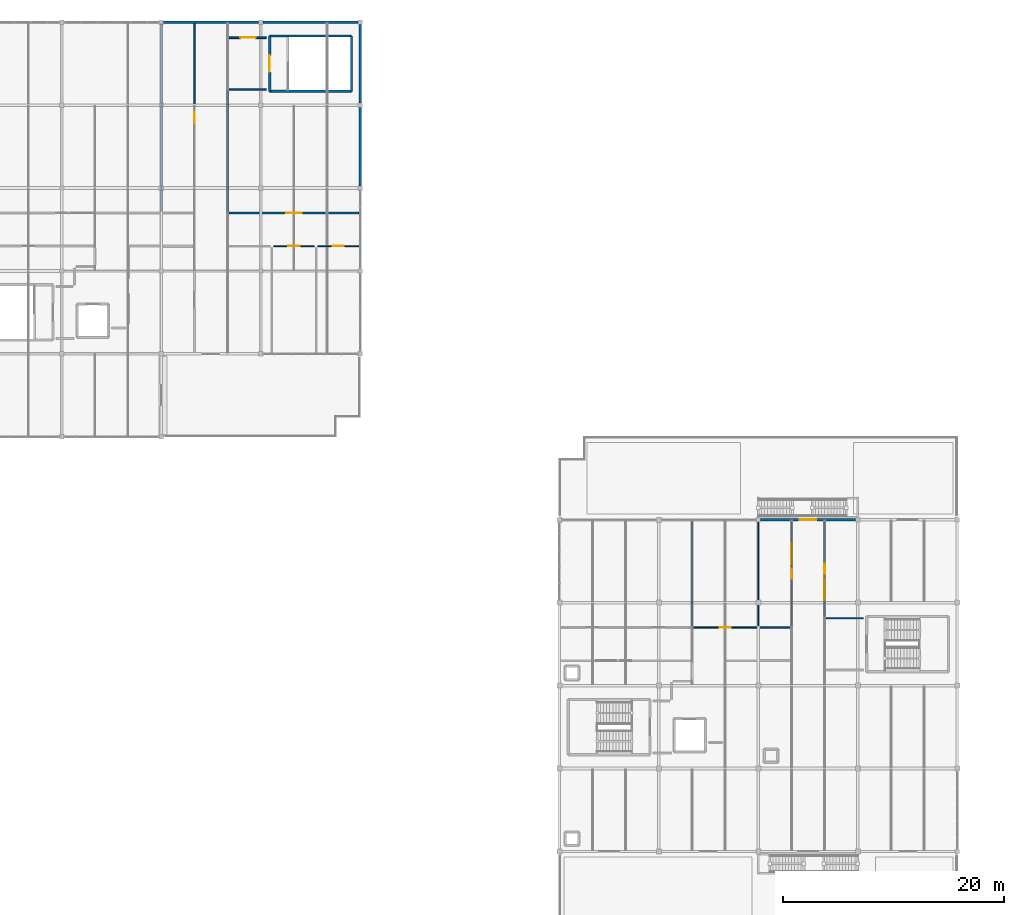
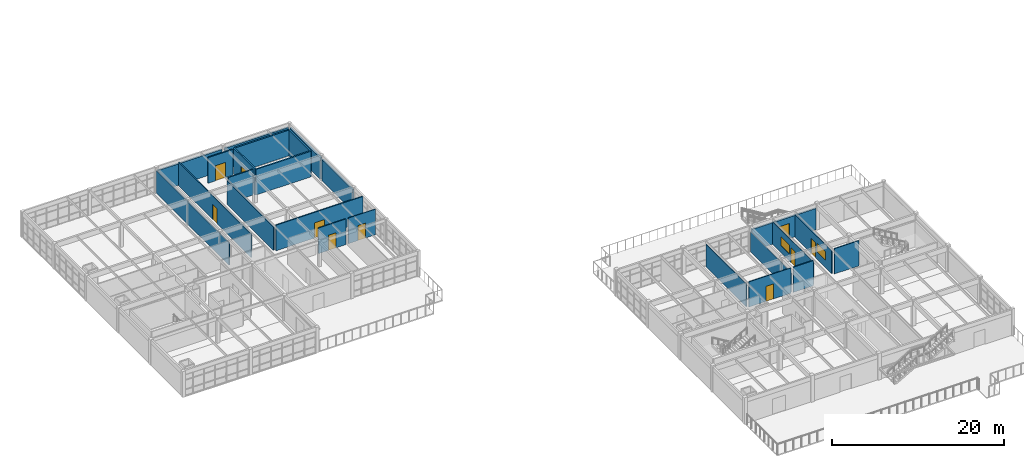
# One storey, part 40 of 45: 24 walls, 10 doors, 2 windows, 12 openings.
"""IFC4 building model written with IfcOpenShell, lengths in metres."""

from ifc_helpers import new_model, si_unit, direction, frame, frame_2d, origin, place, context, subcontext, project, spatial, rectangle, extrude, material, layer, layer_set, type_object, element, fill, save


model = new_model("IFC4")

# Units and contexts
model_context = context("Model", 3, precision=1e-05, world=origin(), true_north=direction((0.0, 1.0)))
body_context = subcontext(model_context, "Body", "Model", "MODEL_VIEW")
ifc_project = project(units=[si_unit("LENGTHUNIT", "METRE"), si_unit("AREAUNIT", "SQUARE_METRE"), si_unit("VOLUMEUNIT", "CUBIC_METRE"), si_unit("PLANEANGLEUNIT", "RADIAN"), si_unit("MASSUNIT", "GRAM", prefix="KILO")], contexts=[model_context])

# Site, building, storey
site_placement = place(None, origin())
site = spatial("IfcSite", under=ifc_project, at=site_placement, CompositionType="ELEMENT")
building_placement = place(site_placement, origin())
building = spatial("IfcBuilding", under=site, at=building_placement, Name="Marnridge Secondary College", CompositionType="ELEMENT")
storey_placement = place(building_placement, frame((0.0, 0.0, 12.300048828125)))
storey = spatial("IfcBuildingStorey", under=building, at=storey_placement, Name="L03", CompositionType="ELEMENT", Elevation=12.300048828125)

# Walls
ifc_material_1 = material(Name="Concrete C40/50 (AS 3600 N40, 40 MPa)", Category="concrete")
ifc_layer_1 = layer(ifc_material_1, 0.199951171875)
ifc_layer_set_1 = layer_set([ifc_layer_1], Name="WT-CORE-RC200")
wall_type_1 = type_object("IfcWallType", Name="WT-CORE-RC200", PredefinedType="SHEAR", material=ifc_layer_set_1)
wall_1_placement = place(storey_placement, frame((27.800048828125, 113.75, 0.0), z_axis=(0.0, 0.0, 1.0), x_axis=(1.0, 0.0, 0.0)))
element("IfcWall", 1, at=wall_1_placement, inside=storey, type_object=wall_type_1, Name="Stair core shear wall WC-L03-0365", PredefinedType="SHEAR", context=body_context, shape_type="SweptSolid", body=[
    extrude(rectangle(XDim=7.39990234375, YDim=0.199951171875, at=frame_2d((3.699951171875, 0.0))), origin(), (0.0, 0.0, 1.0), 3.64990234375),
])
wall_2_placement = place(storey_placement, frame((35.199951171875, 113.75, 0.0), z_axis=(0.0, 0.0, 1.0), x_axis=(0.0, 1.0, 0.0)))
element("IfcWall", 2, at=wall_2_placement, inside=storey, type_object=wall_type_1, Name="Stair core shear wall WC-L03-0366", PredefinedType="SHEAR", context=body_context, shape_type="SweptSolid", body=[
    extrude(rectangle(XDim=5.0, YDim=0.199951171875, at=frame_2d((2.5, 0.0))), origin(), (0.0, 0.0, 1.0), 3.64990234375),
])
wall_3_placement = place(storey_placement, frame((35.199951171875, 118.75, 0.0), z_axis=(0.0, 0.0, 1.0), x_axis=(-1.0, 0.0, 0.0)))
element("IfcWall", 3, at=wall_3_placement, inside=storey, type_object=wall_type_1, Name="Stair core shear wall WC-L03-0367", PredefinedType="SHEAR", context=body_context, shape_type="SweptSolid", body=[
    extrude(rectangle(XDim=7.39990234375, YDim=0.199951171875, at=frame_2d((3.699951171875, 0.0))), origin(), (0.0, 0.0, 1.0), 3.64990234375),
])

# Wall, opening, door
wall_4_placement = place(storey_placement, frame((27.800048828125, 118.75, 0.0), z_axis=(0.0, 0.0, 1.0), x_axis=(0.0, -1.0, 0.0)))
wall_4 = element("IfcWall", 4, at=wall_4_placement, inside=storey, type_object=wall_type_1, Name="Stair core shear wall WC-L03-0368", PredefinedType="SHEAR", context=body_context, shape_type="SweptSolid", body=[
    extrude(rectangle(XDim=5.0, YDim=0.199951171875, at=frame_2d((2.5, 0.0))), origin(), (0.0, 0.0, 1.0), 3.64990234375),
])
opening_1_placement = place(wall_4_placement, frame((1.75, 0.0, 0.0)))
opening_1 = element("IfcOpeningElement", 5, at=opening_1_placement, cuts=wall_4, Name="Opening DC-L03-030", PredefinedType="OPENING", context=body_context, shape_type="SweptSolid", body=[
    extrude(rectangle(XDim=1.5, YDim=2.14990234375, at=frame_2d((0.75, 1.074951171875))), frame((0.0, 0.10986328125, 0.0), z_axis=(0.0, -1.0, 0.0), x_axis=(1.0, 0.0, 0.0)), (0.0, 0.0, 1.0), 0.219970703125),
])
ifc_material_2 = material(Name="Fire-rated solid-core timber doorset", Category="wood")
door_type_1 = type_object("IfcDoorType", Name="DT-CORE-FD150", OperationType="DOUBLE_DOOR_SINGLE_SWING", PredefinedType="DOOR", material=ifc_material_2)
door_1_placement = place(opening_1_placement, origin())
door_1 = element("IfcDoor", 6, at=door_1_placement, inside=storey, type_object=door_type_1, Name="Fire stair door DC-L03-030", OperationType="DOUBLE_DOOR_SINGLE_SWING", OverallHeight=2.14990234375, OverallWidth=1.5, PredefinedType="DOOR", context=body_context, shape_type="SweptSolid", body=[
    extrude(rectangle(XDim=1.5, YDim=2.14990234375, at=frame_2d((0.75, 1.074951171875))), frame((0.0, 0.02490234375, 0.0), z_axis=(0.0, -1.0, 0.0), x_axis=(1.0, 0.0, 0.0)), (0.0, 0.0, 1.0), 0.050048828125),
])
fill(opening_1, door_1)

ifc_material_3 = material(Name="Cross-laminated timber CL5", Category="wood")
ifc_layer_2 = layer(ifc_material_3, 0.215087890625)
ifc_layer_set_2 = layer_set([ifc_layer_2], Name="WT-EXT-CLT215")
wall_type_2 = type_object("IfcWallType", Name="WT-EXT-CLT215", PredefinedType="SOLIDWALL", material=ifc_layer_set_2)
wall_5_placement = place(storey_placement, frame((72.196044921875, 75.0, 0.0), z_axis=(0.0, 0.0, 1.0), x_axis=(1.0, 0.0, 0.0)))
wall_5 = element("IfcWall", 7, at=wall_5_placement, inside=storey, type_object=wall_type_2, Name="Exterior wall WE-L03-0164", PredefinedType="SOLIDWALL", context=body_context, shape_type="SweptSolid", body=[
    extrude(rectangle(XDim=8.60791015625, YDim=0.215087890625, at=frame_2d((4.303955078125, 0.0))), origin(), (0.0, 0.0, 1.0), 3.046875),
])
opening_2_placement = place(wall_5_placement, frame((3.553955078125, 0.0, 0.0)))
opening_2 = element("IfcOpeningElement", 8, at=opening_2_placement, cuts=wall_5, Name="Opening DE-L03-030", PredefinedType="OPENING", context=body_context, shape_type="SweptSolid", body=[
    extrude(rectangle(XDim=1.5, YDim=2.14990234375, at=frame_2d((0.75, 1.074951171875))), frame((0.0, 0.117431640625, 0.0), z_axis=(0.0, -1.0, 0.0), x_axis=(1.0, 0.0, 0.0)), (0.0, 0.0, 1.0), 0.235107421875),
])
ifc_material_4 = material(Name="Thermally broken timber-aluminium terrace doorset", Category="wood")
door_type_2 = type_object("IfcDoorType", Name="DT-EXT-TER150", OperationType="DOUBLE_DOOR_SINGLE_SWING", PredefinedType="DOOR", material=ifc_material_4)
door_2_placement = place(opening_2_placement, origin())
door_2 = element("IfcDoor", 9, at=door_2_placement, inside=storey, type_object=door_type_2, Name="Play deck access door DE-L03-030", OperationType="DOUBLE_DOOR_SINGLE_SWING", OverallHeight=2.14990234375, OverallWidth=1.5, PredefinedType="DOOR", context=body_context, shape_type="SweptSolid", body=[
    extrude(rectangle(XDim=1.5, YDim=2.14990234375, at=frame_2d((0.75, 1.074951171875))), frame((0.0, 0.02490234375, 0.0), z_axis=(0.0, -1.0, 0.0), x_axis=(1.0, 0.0, 0.0)), (0.0, 0.0, 1.0), 0.050048828125),
])
fill(opening_2, door_2)

# Walls
for number, where, z_axis, x_axis, name in (
    (10, (18.196044921875, 120.0, 0.0), (0.0, 0.0, 1.0), (1.0, 0.0, 0.0), "Exterior wall WE-L03-0176"),
    (11, (27.196044921875, 120.0, 0.0), (0.0, 0.0, 1.0), (1.0, 0.0, 0.0), "Exterior wall WE-L03-0177"),
):
    element("IfcWall", number, at=place(storey_placement, frame(where, z_axis=z_axis, x_axis=x_axis)), inside=storey, type_object=wall_type_2, Name=name, PredefinedType="SOLIDWALL", context=body_context, shape_type="SweptSolid", body=[
        extrude(rectangle(XDim=8.60791015625, YDim=0.215087890625, at=frame_2d((4.303955078125, 0.0))), origin(), (0.0, 0.0, 1.0), 3.056884765625),
    ])
for number, where, z_axis, x_axis, name in (
    (12, (36.0, 119.803955078125, 0.0), (0.0, 0.0, 1.0), (0.0, -1.0, 0.0), "Exterior wall WE-L03-0178"),
    (13, (36.0, 112.303955078125, 0.0), (0.0, 0.0, 1.0), (0.0, -1.0, 0.0), "Exterior wall WE-L03-0179"),
):
    element("IfcWall", number, at=place(storey_placement, frame(where, z_axis=z_axis, x_axis=x_axis)), inside=storey, type_object=wall_type_2, Name=name, PredefinedType="SOLIDWALL", context=body_context, shape_type="SweptSolid", body=[
        extrude(rectangle(XDim=7.10791015625, YDim=0.215087890625, at=frame_2d((3.553955078125, 0.0))), origin(), (0.0, 0.0, 1.0), 3.056884765625),
    ])
ifc_material_5 = material(Name="Acoustic plasterboard partition Rw45", Category="gypsum")
ifc_layer_3 = layer(ifc_material_5, 0.1201171875)
ifc_layer_set_3 = layer_set([ifc_layer_3], Name="WT-PART-AC120")
wall_type_3 = type_object("IfcWallType", Name="WT-PART-AC120", PredefinedType="PARTITIONING", material=ifc_layer_set_3)
wall_6_placement = place(storey_placement, frame((78.159912109375, 66.10009765625, 0.0), z_axis=(0.0, 0.0, 1.0), x_axis=(1.0, 0.0, 0.0)))
element("IfcWall", 14, at=wall_6_placement, inside=storey, type_object=wall_type_3, Name="Interior partition WP-L03-0345", PredefinedType="PARTITIONING", context=body_context, shape_type="SweptSolid", body=[
    extrude(rectangle(XDim=3.340087890625, YDim=0.1201171875, at=frame_2d((1.669921875, 0.0))), origin(), (0.0, 0.0, 1.0), 3.58984375),
])
ifc_material_6 = material(Name="Acoustic plasterboard partition Rw48", Category="gypsum")
ifc_layer_4 = layer(ifc_material_6, 0.135009765625)
ifc_layer_set_4 = layer_set([ifc_layer_4], Name="WT-PART-AC135")
wall_type_4 = type_object("IfcWallType", Name="WT-PART-AC135", PredefinedType="PARTITIONING", material=ifc_layer_set_4)
wall_7_placement = place(storey_placement, frame((72.159912109375, 65.25, 0.0), z_axis=(0.0, 0.0, 1.0), x_axis=(1.0, 0.0, 0.0)))
element("IfcWall", 15, at=wall_7_placement, inside=storey, type_object=wall_type_4, Name="Interior partition WP-L03-0342", PredefinedType="PARTITIONING", context=body_context, shape_type="SweptSolid", body=[
    extrude(rectangle(XDim=2.68017578125, YDim=0.135009765625, at=frame_2d((1.340087890625, 0.0))), origin(), (0.0, 0.0, 1.0), 3.58984375),
])

# Wall, openings, door, window
wall_8_placement = place(storey_placement, frame((78.0, 74.840087890625, 0.0), z_axis=(0.0, 0.0, 1.0), x_axis=(0.0, -1.0, 0.0)))
wall_8 = element("IfcWall", 16, at=wall_8_placement, inside=storey, type_object=wall_type_4, Name="Interior partition WP-L03-0344", PredefinedType="PARTITIONING", context=body_context, shape_type="SweptSolid", body=[
    extrude(rectangle(XDim=8.580078125, YDim=0.135009765625, at=frame_2d((4.2900390625, 0.0))), origin(), (0.0, 0.0, 1.0), 3.221923828125),
])
opening_3_placement = place(wall_8_placement, frame((3.7900390625, 0.0, 0.0)))
opening_3 = element("IfcOpeningElement", 17, at=opening_3_placement, cuts=wall_8, Name="Opening DI-L03-0124", PredefinedType="OPENING", context=body_context, shape_type="SweptSolid", body=[
    extrude(rectangle(XDim=1.0, YDim=2.14990234375, at=frame_2d((0.5, 1.074951171875))), frame((0.0, 0.077392578125, 0.0), z_axis=(0.0, -1.0, 0.0), x_axis=(1.0, 0.0, 0.0)), (0.0, 0.0, 1.0), 0.155029296875),
])
opening_4_placement = place(wall_8_placement, frame((5.139892578125, 0.0, 1.02001953125)))
opening_4 = element("IfcOpeningElement", 18, at=opening_4_placement, cuts=wall_8, Name="Opening WNI-L03-030", PredefinedType="OPENING", context=body_context, shape_type="SweptSolid", body=[
    extrude(rectangle(XDim=2.02001953125, YDim=1.239990234375, at=frame_2d((1.010009765625, 0.6201171875))), frame((0.0, 0.077392578125, 0.0), z_axis=(0.0, -1.0, 0.0), x_axis=(1.0, 0.0, 0.0)), (0.0, 0.0, 1.0), 0.155029296875),
])
ifc_material_7 = material(Name="Solid-core acoustic hoop-pine classroom doorset", Category="wood")
door_type_3 = type_object("IfcDoorType", Name="DT-CLS-100", OperationType="NOTDEFINED", PredefinedType="DOOR", material=ifc_material_7)
door_3_placement = place(opening_3_placement, origin())
door_3 = element("IfcDoor", 19, at=door_3_placement, inside=storey, type_object=door_type_3, Name="Interior door DI-L03-0124", OperationType="SINGLE_SWING_RIGHT", OverallHeight=2.14990234375, OverallWidth=1.0, PredefinedType="DOOR", context=body_context, shape_type="SweptSolid", body=[
    extrude(rectangle(XDim=1.0, YDim=2.14990234375, at=frame_2d((0.5, 1.074951171875))), frame((0.0, 0.02490234375, 0.0), z_axis=(0.0, -1.0, 0.0), x_axis=(1.0, 0.0, 0.0)), (0.0, 0.0, 1.0), 0.050048828125),
])
fill(opening_3, door_3)
ifc_material_8 = material(Name="Acoustic laminated interior vision glazing", Category="glass")
window_type_1 = type_object("IfcWindowType", Name="WN-BL-VAR12", PartitioningType="DOUBLE_PANEL_VERTICAL", PredefinedType="WINDOW", material=ifc_material_8)
window_1_placement = place(opening_4_placement, origin())
window_1 = element("IfcWindow", 20, at=window_1_placement, inside=storey, type_object=window_type_1, Name="Interior vision window WNI-L03-030", OverallHeight=1.239990234375, OverallWidth=2.02001953125, PartitioningType="DOUBLE_PANEL_VERTICAL", PredefinedType="WINDOW", context=body_context, shape_type="SweptSolid", body=[
    extrude(rectangle(XDim=2.02001953125, YDim=1.239990234375, at=frame_2d((1.010009765625, 0.6201171875))), frame((0.0, 0.030029296875, 0.0), z_axis=(0.0, -1.0, 0.0), x_axis=(1.0, 0.0, 0.0)), (0.0, 0.0, 1.0), 0.06005859375),
])
fill(opening_4, window_1)

# Wall, opening, door
wall_9_placement = place(storey_placement, frame((21.0, 102.909912109375, 0.0), z_axis=(0.0, 0.0, 1.0), x_axis=(0.0, 1.0, 0.0)))
wall_9 = element("IfcWall", 21, at=wall_9_placement, inside=storey, type_object=wall_type_4, Name="Interior partition WP-L03-0366", PredefinedType="PARTITIONING", context=body_context, shape_type="SweptSolid", body=[
    extrude(rectangle(XDim=16.93017578125, YDim=0.135009765625, at=frame_2d((8.465087890625, 0.0))), origin(), (0.0, 0.0, 1.0), 3.342041015625),
])
opening_5_placement = place(wall_9_placement, frame((7.965087890625, 0.0, 0.0)))
opening_5 = element("IfcOpeningElement", 22, at=opening_5_placement, cuts=wall_9, Name="Opening DI-L03-0132", PredefinedType="OPENING", context=body_context, shape_type="SweptSolid", body=[
    extrude(rectangle(XDim=1.0, YDim=2.14990234375, at=frame_2d((0.5, 1.074951171875))), frame((0.0, 0.077392578125, 0.0), z_axis=(0.0, -1.0, 0.0), x_axis=(1.0, 0.0, 0.0)), (0.0, 0.0, 1.0), 0.155029296875),
])
door_4_placement = place(opening_5_placement, origin())
door_4 = element("IfcDoor", 23, at=door_4_placement, inside=storey, type_object=door_type_3, Name="Interior door DI-L03-0132", OperationType="SINGLE_SWING_RIGHT", OverallHeight=2.14990234375, OverallWidth=1.0, PredefinedType="DOOR", context=body_context, shape_type="SweptSolid", body=[
    extrude(rectangle(XDim=1.0, YDim=2.14990234375, at=frame_2d((0.5, 1.074951171875))), frame((0.0, 0.02490234375, 0.0), z_axis=(0.0, -1.0, 0.0), x_axis=(1.0, 0.0, 0.0)), (0.0, 0.0, 1.0), 0.050048828125),
])
fill(opening_5, door_4)

# Walls
wall_10_placement = place(storey_placement, frame((18.0, 102.909912109375, 0.0), z_axis=(0.0, 0.0, 1.0), x_axis=(0.0, 1.0, 0.0)))
element("IfcWall", 24, at=wall_10_placement, inside=storey, type_object=wall_type_4, Name="Interior partition WP-L03-0372", PredefinedType="PARTITIONING", context=body_context, shape_type="SweptSolid", body=[
    extrude(rectangle(XDim=16.93017578125, YDim=0.135009765625, at=frame_2d((8.465087890625, 0.0))), origin(), (0.0, 0.0, 1.0), 3.19189453125),
])
ifc_material_9 = material(Name="Acoustic plasterboard on steel Grade 350 framing Rw50", Category="steel")
ifc_layer_5 = layer(ifc_material_9, 0.14990234375)
ifc_layer_set_5 = layer_set([ifc_layer_5], Name="WT-PART-AC150")
wall_type_5 = type_object("IfcWallType", Name="WT-PART-AC150", PredefinedType="PARTITIONING", material=ifc_layer_set_5)
wall_11_placement = place(storey_placement, frame((27.5, 113.89990234375, 0.0), z_axis=(0.0, 0.0, 1.0), x_axis=(-1.0, 0.0, 0.0)))
element("IfcWall", 25, at=wall_11_placement, inside=storey, type_object=wall_type_5, Name="Interior partition WP-L03-0367", PredefinedType="PARTITIONING", context=body_context, shape_type="SweptSolid", body=[
    extrude(rectangle(XDim=3.340087890625, YDim=0.14990234375, at=frame_2d((1.669921875, 0.0))), origin(), (0.0, 0.0, 1.0), 3.64990234375),
])

# Wall, opening, door
wall_12_placement = place(storey_placement, frame((24.159912109375, 102.75, 0.0), z_axis=(0.0, 0.0, 1.0), x_axis=(1.0, 0.0, 0.0)))
wall_12 = element("IfcWall", 26, at=wall_12_placement, inside=storey, type_object=wall_type_5, Name="Interior partition WP-L03-0369", PredefinedType="PARTITIONING", context=body_context, shape_type="SweptSolid", body=[
    extrude(rectangle(XDim=11.68017578125, YDim=0.14990234375, at=frame_2d((5.840087890625, 0.0))), origin(), (0.0, 0.0, 1.0), 3.64990234375),
])
opening_6_placement = place(wall_12_placement, frame((5.139892578125, 0.0, 0.0)))
opening_6 = element("IfcOpeningElement", 27, at=opening_6_placement, cuts=wall_12, Name="Opening DI-L03-0133", PredefinedType="OPENING", context=body_context, shape_type="SweptSolid", body=[
    extrude(rectangle(XDim=1.39990234375, YDim=2.14990234375, at=frame_2d((0.699951171875, 1.074951171875))), frame((0.0, 0.0849609375, 0.0), z_axis=(0.0, -1.0, 0.0), x_axis=(1.0, 0.0, 0.0)), (0.0, 0.0, 1.0), 0.169921875),
])
ifc_material_10 = material(Name="Laboratory leaf-and-a-half vision-panel doorset", Category="wood")
door_type_4 = type_object("IfcDoorType", Name="DT-LAB-140", OperationType="DOUBLE_DOOR_SINGLE_SWING", PredefinedType="DOOR", material=ifc_material_10)
door_5_placement = place(opening_6_placement, origin())
door_5 = element("IfcDoor", 28, at=door_5_placement, inside=storey, type_object=door_type_4, Name="Interior door DI-L03-0133", OperationType="DOUBLE_DOOR_SINGLE_SWING", OverallHeight=2.14990234375, OverallWidth=1.39990234375, PredefinedType="DOOR", context=body_context, shape_type="SweptSolid", body=[
    extrude(rectangle(XDim=1.39990234375, YDim=2.14990234375, at=frame_2d((0.699951171875, 1.074951171875))), frame((0.0, 0.02490234375, 0.0), z_axis=(0.0, -1.0, 0.0), x_axis=(1.0, 0.0, 0.0)), (0.0, 0.0, 1.0), 0.050048828125),
])
fill(opening_6, door_5)

# Wall
ifc_material_11 = material(Name="Acoustic plasterboard on twin steel Grade 350 framing Rw55", Category="steel")
ifc_layer_6 = layer(ifc_material_11, 0.1650390625)
ifc_layer_set_6 = layer_set([ifc_layer_6], Name="WT-PART-AC165")
wall_type_6 = type_object("IfcWallType", Name="WT-PART-AC165", PredefinedType="PARTITIONING", material=ifc_layer_set_6)
wall_13_placement = place(storey_placement, frame((24.0, 113.739990234375, 0.0), z_axis=(0.0, 0.0, 1.0), x_axis=(0.0, -1.0, 0.0)))
element("IfcWall", 29, at=wall_13_placement, inside=storey, type_object=wall_type_6, Name="Interior partition WP-L03-0368", PredefinedType="PARTITIONING", context=body_context, shape_type="SweptSolid", body=[
    extrude(rectangle(XDim=10.830078125, YDim=0.1650390625, at=frame_2d((5.4150390625, 0.0))), origin(), (0.0, 0.0, 1.0), 3.342041015625),
])

# Wall, opening, door
wall_14_placement = place(storey_placement, frame((24.159912109375, 118.60009765625, 0.0), z_axis=(0.0, 0.0, 1.0), x_axis=(1.0, 0.0, 0.0)))
wall_14 = element("IfcWall", 30, at=wall_14_placement, inside=storey, type_object=wall_type_6, Name="Interior partition WP-L03-0370", PredefinedType="PARTITIONING", context=body_context, shape_type="SweptSolid", body=[
    extrude(rectangle(XDim=3.340087890625, YDim=0.1650390625, at=frame_2d((1.669921875, 0.0))), origin(), (0.0, 0.0, 1.0), 3.64990234375),
])
opening_7_placement = place(wall_14_placement, frame((0.969970703125, 0.0, 0.0)))
opening_7 = element("IfcOpeningElement", 31, at=opening_7_placement, cuts=wall_14, Name="Opening DI-L03-0134", PredefinedType="OPENING", context=body_context, shape_type="SweptSolid", body=[
    extrude(rectangle(XDim=1.39990234375, YDim=2.14990234375, at=frame_2d((0.699951171875, 1.074951171875))), frame((0.0, 0.092529296875, 0.0), z_axis=(0.0, -1.0, 0.0), x_axis=(1.0, 0.0, 0.0)), (0.0, 0.0, 1.0), 0.18505859375),
])
door_6_placement = place(opening_7_placement, origin())
door_6 = element("IfcDoor", 32, at=door_6_placement, inside=storey, type_object=door_type_4, Name="Interior door DI-L03-0134", OperationType="DOUBLE_DOOR_SINGLE_SWING", OverallHeight=2.14990234375, OverallWidth=1.39990234375, PredefinedType="DOOR", context=body_context, shape_type="SweptSolid", body=[
    extrude(rectangle(XDim=1.39990234375, YDim=2.14990234375, at=frame_2d((0.699951171875, 1.074951171875))), frame((0.0, 0.02490234375, 0.0), z_axis=(0.0, -1.0, 0.0), x_axis=(1.0, 0.0, 0.0)), (0.0, 0.0, 1.0), 0.050048828125),
])
fill(opening_7, door_6)

# Wall, openings, door, window
ifc_material_12 = material(Name="Acoustic glazed studio partition system", Category="gypsum")
ifc_layer_7 = layer(ifc_material_12, 0.10009765625)
ifc_layer_set_7 = layer_set([ifc_layer_7], Name="WT-PART-GL100")
wall_type_7 = type_object("IfcWallType", Name="WT-PART-GL100", PredefinedType="PARTITIONING", material=ifc_layer_set_7)
wall_15_placement = place(storey_placement, frame((75.0, 65.409912109375, 0.0), z_axis=(0.0, 0.0, 1.0), x_axis=(0.0, 1.0, 0.0)))
wall_15 = element("IfcWall", 33, at=wall_15_placement, inside=storey, type_object=wall_type_7, Name="Interior partition WP-L03-0343", PredefinedType="PARTITIONING", context=body_context, shape_type="SweptSolid", body=[
    extrude(rectangle(XDim=9.43017578125, YDim=0.10009765625, at=frame_2d((4.715087890625, 0.0))), origin(), (0.0, 0.0, 1.0), 3.221923828125),
])
opening_8_placement = place(wall_15_placement, frame((4.215087890625, 0.0, 0.0)))
opening_8 = element("IfcOpeningElement", 34, at=opening_8_placement, cuts=wall_15, Name="Opening DI-L03-0123", PredefinedType="OPENING", context=body_context, shape_type="SweptSolid", body=[
    extrude(rectangle(XDim=1.0, YDim=2.14990234375, at=frame_2d((0.5, 1.074951171875))), frame((0.0, 0.06005859375, 0.0), z_axis=(0.0, -1.0, 0.0), x_axis=(1.0, 0.0, 0.0)), (0.0, 0.0, 1.0), 0.1201171875),
])
opening_9_placement = place(wall_15_placement, frame((5.56494140625, 0.0, 1.02001953125)))
opening_9 = element("IfcOpeningElement", 35, at=opening_9_placement, cuts=wall_15, Name="Opening WNI-L03-029", PredefinedType="OPENING", context=body_context, shape_type="SweptSolid", body=[
    extrude(rectangle(XDim=1.919921875, YDim=1.239990234375, at=frame_2d((0.9599609375, 0.6201171875))), frame((0.0, 0.06005859375, 0.0), z_axis=(0.0, -1.0, 0.0), x_axis=(1.0, 0.0, 0.0)), (0.0, 0.0, 1.0), 0.1201171875),
])
door_7_placement = place(opening_8_placement, origin())
door_7 = element("IfcDoor", 36, at=door_7_placement, inside=storey, type_object=door_type_3, Name="Interior door DI-L03-0123", OperationType="SINGLE_SWING_LEFT", OverallHeight=2.14990234375, OverallWidth=1.0, PredefinedType="DOOR", context=body_context, shape_type="SweptSolid", body=[
    extrude(rectangle(XDim=1.0, YDim=2.14990234375, at=frame_2d((0.5, 1.074951171875))), frame((0.0, 0.02490234375, 0.0), z_axis=(0.0, -1.0, 0.0), x_axis=(1.0, 0.0, 0.0)), (0.0, 0.0, 1.0), 0.050048828125),
])
fill(opening_8, door_7)
ifc_material_13 = material(Name="Acoustic laminated interior vision glazing", Category="glass")
window_type_2 = type_object("IfcWindowType", Name="WN-BL-VAR11", PartitioningType="DOUBLE_PANEL_VERTICAL", PredefinedType="WINDOW", material=ifc_material_13)
window_2_placement = place(opening_9_placement, origin())
window_2 = element("IfcWindow", 37, at=window_2_placement, inside=storey, type_object=window_type_2, Name="Interior vision window WNI-L03-029", OverallHeight=1.239990234375, OverallWidth=1.919921875, PartitioningType="DOUBLE_PANEL_VERTICAL", PredefinedType="WINDOW", context=body_context, shape_type="SweptSolid", body=[
    extrude(rectangle(XDim=1.919921875, YDim=1.239990234375, at=frame_2d((0.9599609375, 0.6201171875))), frame((0.0, 0.030029296875, 0.0), z_axis=(0.0, -1.0, 0.0), x_axis=(1.0, 0.0, 0.0)), (0.0, 0.0, 1.0), 0.06005859375),
])
fill(opening_9, window_2)

# Wall
ifc_material_14 = material(Name="Moisture-resistant plasterboard sanitary partition", Category="gypsum")
ifc_layer_8 = layer(ifc_material_14, 0.110107421875)
ifc_layer_set_8 = layer_set([ifc_layer_8], Name="WT-PART-WT110")
wall_type_8 = type_object("IfcWallType", Name="WT-PART-WT110", PredefinedType="PARTITIONING", material=ifc_layer_set_8)
wall_16_placement = place(storey_placement, frame((66.0, 65.409912109375, 0.0), z_axis=(0.0, 0.0, 1.0), x_axis=(0.0, 1.0, 0.0)))
element("IfcWall", 38, at=wall_16_placement, inside=storey, type_object=wall_type_8, Name="Interior partition WP-L03-0325", PredefinedType="PARTITIONING", context=body_context, shape_type="SweptSolid", body=[
    extrude(rectangle(XDim=9.43017578125, YDim=0.110107421875, at=frame_2d((4.715087890625, 0.0))), origin(), (0.0, 0.0, 1.0), 3.221923828125),
])

# Wall, opening, door
wall_17_placement = place(storey_placement, frame((66.159912109375, 65.25, 0.0), z_axis=(0.0, 0.0, 1.0), x_axis=(1.0, 0.0, 0.0)))
wall_17 = element("IfcWall", 39, at=wall_17_placement, inside=storey, type_object=wall_type_8, Name="Interior partition WP-L03-0327", PredefinedType="PARTITIONING", context=body_context, shape_type="SweptSolid", body=[
    extrude(rectangle(XDim=5.68017578125, YDim=0.110107421875, at=frame_2d((2.840087890625, 0.0))), origin(), (0.0, 0.0, 1.0), 3.58984375),
])
opening_10_placement = place(wall_17_placement, frame((2.340087890625, 0.0, 0.0)))
opening_10 = element("IfcOpeningElement", 40, at=opening_10_placement, cuts=wall_17, Name="Opening DI-L03-0118", PredefinedType="OPENING", context=body_context, shape_type="SweptSolid", body=[
    extrude(rectangle(XDim=1.0, YDim=2.14990234375, at=frame_2d((0.5, 1.074951171875))), frame((0.0, 0.06494140625, 0.0), z_axis=(0.0, -1.0, 0.0), x_axis=(1.0, 0.0, 0.0)), (0.0, 0.0, 1.0), 0.130126953125),
])
door_8_placement = place(opening_10_placement, origin())
door_8 = element("IfcDoor", 41, at=door_8_placement, inside=storey, type_object=door_type_3, Name="Interior door DI-L03-0118", OperationType="SINGLE_SWING_RIGHT", OverallHeight=2.14990234375, OverallWidth=1.0, PredefinedType="DOOR", context=body_context, shape_type="SweptSolid", body=[
    extrude(rectangle(XDim=1.0, YDim=2.14990234375, at=frame_2d((0.5, 1.074951171875))), frame((0.0, 0.02490234375, 0.0), z_axis=(0.0, -1.0, 0.0), x_axis=(1.0, 0.0, 0.0)), (0.0, 0.0, 1.0), 0.050048828125),
])
fill(opening_10, door_8)

# Wall
wall_18_placement = place(storey_placement, frame((72.0, 65.409912109375, 0.0), z_axis=(0.0, 0.0, 1.0), x_axis=(0.0, 1.0, 0.0)))
element("IfcWall", 42, at=wall_18_placement, inside=storey, type_object=wall_type_8, Name="Interior partition WP-L03-0328", PredefinedType="PARTITIONING", context=body_context, shape_type="SweptSolid", body=[
    extrude(rectangle(XDim=9.43017578125, YDim=0.110107421875, at=frame_2d((4.715087890625, 0.0))), origin(), (0.0, 0.0, 1.0), 2.862060546875),
])

# Wall, opening, door
wall_19_placement = place(storey_placement, frame((31.840087890625, 99.75, 0.0), z_axis=(0.0, 0.0, 1.0), x_axis=(-1.0, 0.0, 0.0)))
wall_19 = element("IfcWall", 43, at=wall_19_placement, inside=storey, type_object=wall_type_8, Name="Interior partition WP-L03-0351", PredefinedType="PARTITIONING", context=body_context, shape_type="SweptSolid", body=[
    extrude(rectangle(XDim=3.68017578125, YDim=0.110107421875, at=frame_2d((1.840087890625, 0.0))), origin(), (0.0, 0.0, 1.0), 3.64990234375),
])
opening_11_placement = place(wall_19_placement, frame((1.340087890625, 0.0, 0.0)))
opening_11 = element("IfcOpeningElement", 44, at=opening_11_placement, cuts=wall_19, Name="Opening DI-L03-0126", PredefinedType="OPENING", context=body_context, shape_type="SweptSolid", body=[
    extrude(rectangle(XDim=1.0, YDim=2.14990234375, at=frame_2d((0.5, 1.074951171875))), frame((0.0, 0.06494140625, 0.0), z_axis=(0.0, -1.0, 0.0), x_axis=(1.0, 0.0, 0.0)), (0.0, 0.0, 1.0), 0.130126953125),
])
door_9_placement = place(opening_11_placement, origin())
door_9 = element("IfcDoor", 45, at=door_9_placement, inside=storey, type_object=door_type_3, Name="Interior door DI-L03-0126", OperationType="SINGLE_SWING_RIGHT", OverallHeight=2.14990234375, OverallWidth=1.0, PredefinedType="DOOR", context=body_context, shape_type="SweptSolid", body=[
    extrude(rectangle(XDim=1.0, YDim=2.14990234375, at=frame_2d((0.5, 1.074951171875))), frame((0.0, 0.02490234375, 0.0), z_axis=(0.0, -1.0, 0.0), x_axis=(1.0, 0.0, 0.0)), (0.0, 0.0, 1.0), 0.050048828125),
])
fill(opening_11, door_9)

wall_20_placement = place(storey_placement, frame((35.840087890625, 99.75, 0.0), z_axis=(0.0, 0.0, 1.0), x_axis=(-1.0, 0.0, 0.0)))
wall_20 = element("IfcWall", 46, at=wall_20_placement, inside=storey, type_object=wall_type_8, Name="Interior partition WP-L03-0352", PredefinedType="PARTITIONING", context=body_context, shape_type="SweptSolid", body=[
    extrude(rectangle(XDim=3.68017578125, YDim=0.110107421875, at=frame_2d((1.840087890625, 0.0))), origin(), (0.0, 0.0, 1.0), 3.64990234375),
])
opening_12_placement = place(wall_20_placement, frame((1.340087890625, 0.0, 0.0)))
opening_12 = element("IfcOpeningElement", 47, at=opening_12_placement, cuts=wall_20, Name="Opening DI-L03-0127", PredefinedType="OPENING", context=body_context, shape_type="SweptSolid", body=[
    extrude(rectangle(XDim=1.0, YDim=2.14990234375, at=frame_2d((0.5, 1.074951171875))), frame((0.0, 0.06494140625, 0.0), z_axis=(0.0, -1.0, 0.0), x_axis=(1.0, 0.0, 0.0)), (0.0, 0.0, 1.0), 0.130126953125),
])
door_10_placement = place(opening_12_placement, origin())
door_10 = element("IfcDoor", 48, at=door_10_placement, inside=storey, type_object=door_type_3, Name="Interior door DI-L03-0127", OperationType="SINGLE_SWING_LEFT", OverallHeight=2.14990234375, OverallWidth=1.0, PredefinedType="DOOR", context=body_context, shape_type="SweptSolid", body=[
    extrude(rectangle(XDim=1.0, YDim=2.14990234375, at=frame_2d((0.5, 1.074951171875))), frame((0.0, 0.02490234375, 0.0), z_axis=(0.0, -1.0, 0.0), x_axis=(1.0, 0.0, 0.0)), (0.0, 0.0, 1.0), 0.050048828125),
])
fill(opening_12, door_10)

save(model, "model.ifc")
